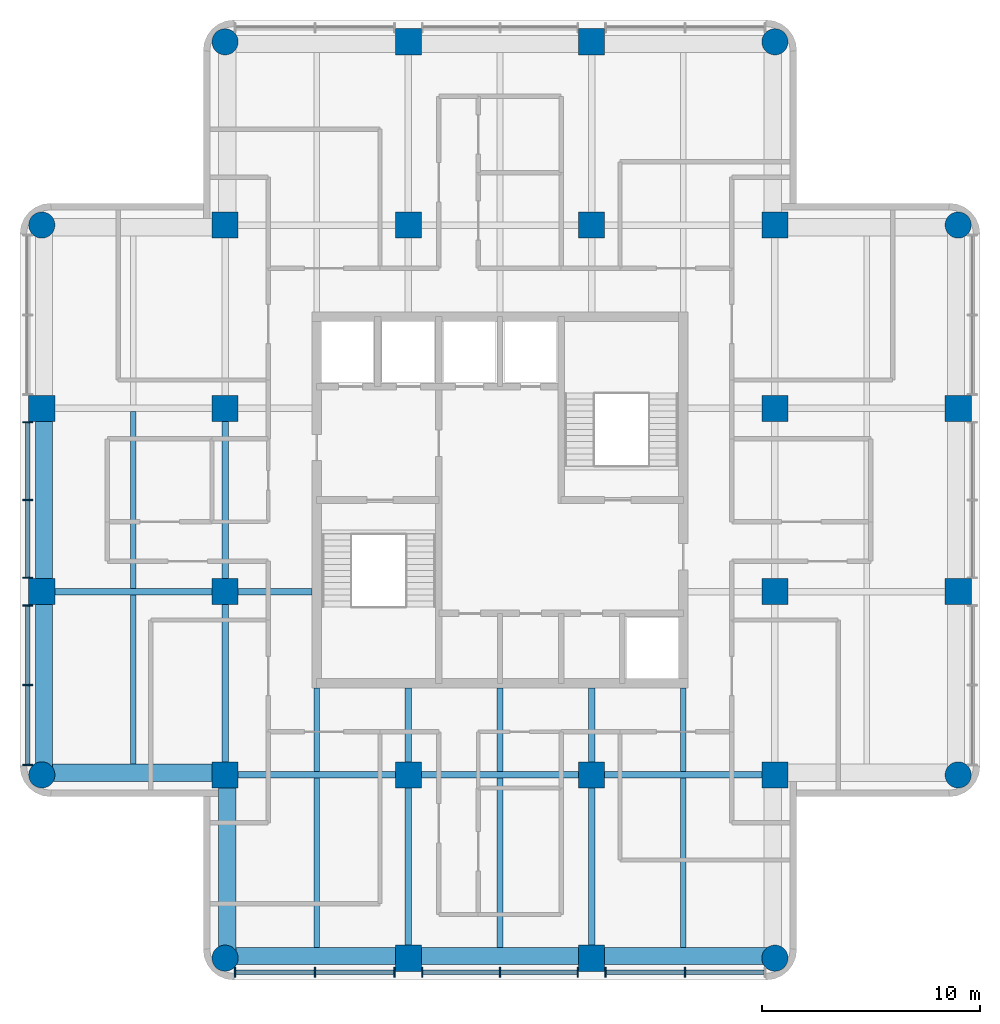
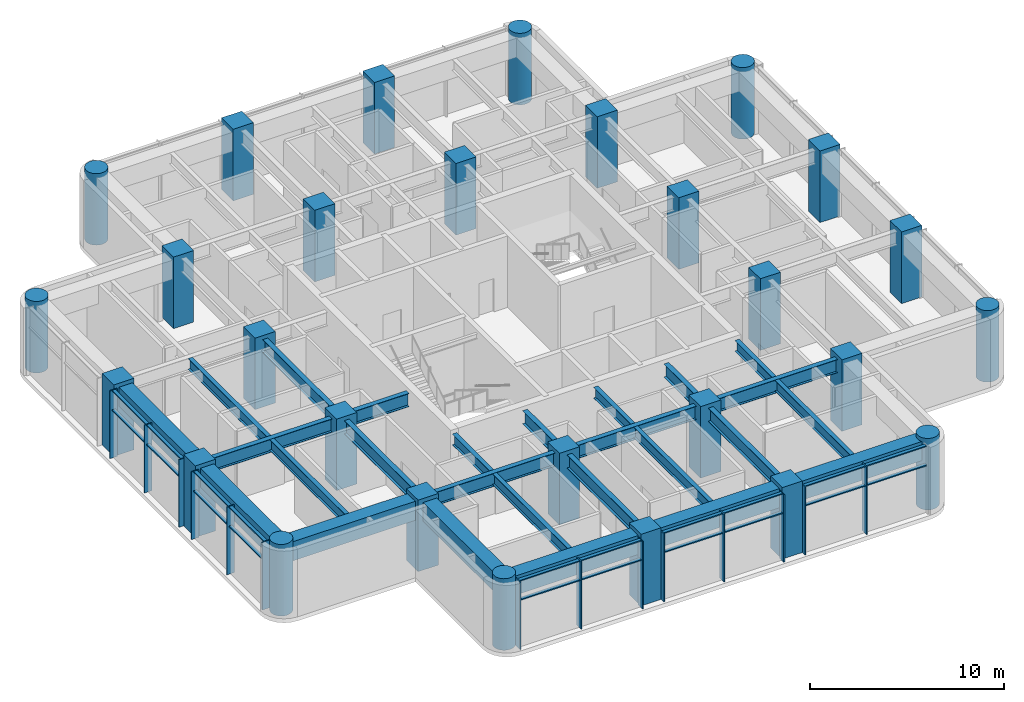
# One storey, part 1 of 8: 34 members, 28 columns, 26 beams, 2 elements without a shape of their own.
"""IFC4 building model written with IfcOpenShell, lengths in metres."""

from ifc_helpers import new_model, si_unit, direction, frame, origin, origin_2d, place, context, subcontext, project, spatial, rectangle, circle, i_section, extrude, material, material_profile, profile_set, type_object, element, aggregate, save


model = new_model("IFC4")

# Units and contexts
model_context = context("Model", 3, precision=1e-05, world=origin(), true_north=direction((0.0, 1.0)))
body_context = subcontext(model_context, "Body", "Model", "MODEL_VIEW")
ifc_project = project(units=[si_unit("LENGTHUNIT", "METRE"), si_unit("AREAUNIT", "SQUARE_METRE"), si_unit("VOLUMEUNIT", "CUBIC_METRE"), si_unit("PLANEANGLEUNIT", "RADIAN"), si_unit("MASSUNIT", "GRAM", prefix="KILO")], contexts=[model_context])

# Site, building, storey
site_placement = place(None, origin())
site = spatial("IfcSite", under=ifc_project, at=site_placement, CompositionType="ELEMENT")
building_placement = place(site_placement, origin())
building = spatial("IfcBuilding", under=site, at=building_placement, Name="Torre Alcanfor", CompositionType="ELEMENT")
storey_placement = place(building_placement, frame((0.0, 0.0, 300.89990234375)))
storey = spatial("IfcBuildingStorey", under=building, at=storey_placement, Name="L79", CompositionType="ELEMENT", Elevation=300.89990234375)

# Columns
ifc_material_1 = material(Name="Concrete f'c 70 MPa", Category="concrete")
ifc_material_profile_1 = material_profile(ifc_material_1, rectangle(XDim=1.199951171875, YDim=1.199951171875, at=origin_2d()), Name="1200x1200")
ifc_profile_set_1 = profile_set([ifc_material_profile_1], Name="Concrete f'c 70 MPa")
column_type_1 = type_object("IfcColumnType", Name="RC column 1200x1200 f'c70", PredefinedType="COLUMN", material=ifc_profile_set_1)
for number, where, z_axis, x_axis, name in (
    (1, (8.39990234375, 25.199951171875, 0.0), (0.0, 0.0, 1.0), (1.0, 0.0, 0.0), "Column 2/F L79"),
    (2, (8.39990234375, 33.60009765625, 0.0), (0.0, 0.0, 1.0), (1.0, 0.0, 0.0), "Column 2/G L79"),
    (3, (16.800048828125, 16.800048828125, 0.0), (0.0, 0.0, 1.0), (1.0, 0.0, 0.0), "Column 3/E L79"),
    (4, (16.800048828125, 25.199951171875, 0.0), (0.0, 0.0, 1.0), (1.0, 0.0, 0.0), "Column 3/F L79"),
    (5, (16.800048828125, 33.60009765625, 0.0), (0.0, 0.0, 1.0), (1.0, 0.0, 0.0), "Column 3/G L79"),
    (6, (16.800048828125, 42.0, 0.0), (0.0, 0.0, 1.0), (1.0, 0.0, 0.0), "Column 3/H L79"),
    (7, (25.199951171875, 8.39990234375, 0.0), (0.0, 0.0, 1.0), (1.0, 0.0, 0.0), "Column 4/D L79"),
    (8, (25.199951171875, 16.800048828125, 0.0), (0.0, 0.0, 1.0), (1.0, 0.0, 0.0), "Column 4/E L79"),
    (9, (25.199951171875, 42.0, 0.0), (0.0, 0.0, 1.0), (1.0, 0.0, 0.0), "Column 4/H L79"),
    (10, (25.199951171875, 50.39990234375, 0.0), (0.0, 0.0, 1.0), (1.0, 0.0, 0.0), "Column 4/J L79"),
    (11, (33.60009765625, 8.39990234375, 0.0), (0.0, 0.0, 1.0), (1.0, 0.0, 0.0), "Column 5/D L79"),
    (12, (33.60009765625, 16.800048828125, 0.0), (0.0, 0.0, 1.0), (1.0, 0.0, 0.0), "Column 5/E L79"),
    (13, (33.60009765625, 42.0, 0.0), (0.0, 0.0, 1.0), (1.0, 0.0, 0.0), "Column 5/H L79"),
    (14, (33.60009765625, 50.39990234375, 0.0), (0.0, 0.0, 1.0), (1.0, 0.0, 0.0), "Column 5/J L79"),
    (15, (42.0, 16.800048828125, 0.0), (0.0, 0.0, 1.0), (1.0, 0.0, 0.0), "Column 6/E L79"),
    (16, (42.0, 25.199951171875, 0.0), (0.0, 0.0, 1.0), (1.0, 0.0, 0.0), "Column 6/F L79"),
    (17, (42.0, 33.60009765625, 0.0), (0.0, 0.0, 1.0), (1.0, 0.0, 0.0), "Column 6/G L79"),
    (18, (42.0, 42.0, 0.0), (0.0, 0.0, 1.0), (1.0, 0.0, 0.0), "Column 6/H L79"),
    (19, (50.39990234375, 25.199951171875, 0.0), (0.0, 0.0, 1.0), (1.0, 0.0, 0.0), "Column 7/F L79"),
    (20, (50.39990234375, 33.60009765625, 0.0), (0.0, 0.0, 1.0), (1.0, 0.0, 0.0), "Column 7/G L79"),
):
    element("IfcColumn", number, at=place(storey_placement, frame(where, z_axis=z_axis, x_axis=x_axis)), inside=storey, type_object=column_type_1, Name=name, PredefinedType="COLUMN", context=body_context, shape_type="SweptSolid", body=[
        extrude(rectangle(XDim=1.199951171875, YDim=1.199951171875, at=origin_2d()), origin(), (0.0, 0.0, 1.0), 4.5),
    ])
ifc_material_2 = material(Name="Concrete f'c 70 MPa", Category="concrete")
ifc_material_profile_2 = material_profile(ifc_material_2, circle(Radius=0.60009765625, at=origin_2d()), Name="D1200")
ifc_profile_set_2 = profile_set([ifc_material_profile_2], Name="Concrete f'c 70 MPa")
column_type_2 = type_object("IfcColumnType", Name="RC column D1200 f'c70", PredefinedType="COLUMN", material=ifc_profile_set_2)
for number, where, z_axis, x_axis, name in (
    (21, (8.39990234375, 16.800048828125, 0.0), (0.0, 0.0, 1.0), (1.0, 0.0, 0.0), "Column 2/E L79"),
    (22, (8.39990234375, 42.0, 0.0), (0.0, 0.0, 1.0), (1.0, 0.0, 0.0), "Column 2/H L79"),
    (23, (16.800048828125, 8.39990234375, 0.0), (0.0, 0.0, 1.0), (1.0, 0.0, 0.0), "Column 3/D L79"),
    (24, (16.800048828125, 50.39990234375, 0.0), (0.0, 0.0, 1.0), (1.0, 0.0, 0.0), "Column 3/J L79"),
    (25, (42.0, 8.39990234375, 0.0), (0.0, 0.0, 1.0), (1.0, 0.0, 0.0), "Column 6/D L79"),
    (26, (42.0, 50.39990234375, 0.0), (0.0, 0.0, 1.0), (1.0, 0.0, 0.0), "Column 6/J L79"),
    (27, (50.39990234375, 16.800048828125, 0.0), (0.0, 0.0, 1.0), (1.0, 0.0, 0.0), "Column 7/E L79"),
    (28, (50.39990234375, 42.0, 0.0), (0.0, 0.0, 1.0), (1.0, 0.0, 0.0), "Column 7/H L79"),
):
    element("IfcColumn", number, at=place(storey_placement, frame(where, z_axis=z_axis, x_axis=x_axis)), inside=storey, type_object=column_type_2, Name=name, PredefinedType="COLUMN", context=body_context, shape_type="SweptSolid", body=[
        extrude(circle(Radius=0.60009765625, at=origin_2d()), origin(), (0.0, 0.0, 1.0), 4.5),
    ])

# Curtain wall, members
ifc_material_3 = material(Name="Aluminium and glass", Category="aluminium")
curtain_wall_type = type_object("IfcCurtainWallType", Name="CW-E crown screen", PredefinedType="NOTDEFINED", material=ifc_material_3)
curtain_wall_1_placement = place(storey_placement, origin())
curtain_wall_1 = element("IfcCurtainWall", 29, at=curtain_wall_1_placement, inside=storey, type_object=curtain_wall_type, Name="Curtain wall CW-E L79 2", PredefinedType="NOTDEFINED")
ifc_material_4 = material(Name="Bronze anodised aluminium", Category="aluminium")
ifc_material_profile_3 = material_profile(ifc_material_4, rectangle(XDim=0.449951171875, YDim=0.06494140625, at=origin_2d()), Name="CW-E mullion 65x450")
ifc_profile_set_3 = profile_set([ifc_material_profile_3], Name="Bronze anodised aluminium")
member_type_1 = type_object("IfcMemberType", Name="CW-E mullion with vertical FIN 65x450", PredefinedType="MULLION", material=ifc_profile_set_3)
member_1_placement = place(storey_placement, frame((7.75, 32.96240234375, 0.0), z_axis=(0.0, 0.0, 1.0), x_axis=(1.0, 0.0, 0.0)))
member_1 = element("IfcMember", 30, at=member_1_placement, type_object=member_type_1, Name="CW-E mullion 2.1", PredefinedType="MULLION", context=body_context, shape_type="SweptSolid", body=[
    extrude(rectangle(XDim=0.449951171875, YDim=0.06494140625, at=origin_2d()), origin(), (0.0, 0.0, 1.0), 4.25),
])
member_2_placement = place(storey_placement, frame((7.75, 29.39990234375, 0.0), z_axis=(0.0, 0.0, 1.0), x_axis=(1.0, 0.0, 0.0)))
member_2 = element("IfcMember", 31, at=member_2_placement, type_object=member_type_1, Name="CW-E mullion 2.2", PredefinedType="MULLION", context=body_context, shape_type="SweptSolid", body=[
    extrude(rectangle(XDim=0.449951171875, YDim=0.06494140625, at=origin_2d()), origin(), (0.0, 0.0, 1.0), 4.25),
])
member_3_placement = place(storey_placement, frame((7.75, 25.83740234375, 0.0), z_axis=(0.0, 0.0, 1.0), x_axis=(1.0, 0.0, 0.0)))
member_3 = element("IfcMember", 32, at=member_3_placement, type_object=member_type_1, Name="CW-E mullion 2.3", PredefinedType="MULLION", context=body_context, shape_type="SweptSolid", body=[
    extrude(rectangle(XDim=0.449951171875, YDim=0.06494140625, at=origin_2d()), origin(), (0.0, 0.0, 1.0), 4.25),
])
member_4_placement = place(storey_placement, frame((7.75, 24.5625, 0.0), z_axis=(0.0, 0.0, 1.0), x_axis=(1.0, 0.0, 0.0)))
member_4 = element("IfcMember", 33, at=member_4_placement, type_object=member_type_1, Name="CW-E mullion 3.1", PredefinedType="MULLION", context=body_context, shape_type="SweptSolid", body=[
    extrude(rectangle(XDim=0.449951171875, YDim=0.06494140625, at=origin_2d()), origin(), (0.0, 0.0, 1.0), 4.25),
])
member_5_placement = place(storey_placement, frame((7.75, 20.912841796875, 0.0), z_axis=(0.0, 0.0, 1.0), x_axis=(1.0, 0.0, 0.0)))
member_5 = element("IfcMember", 34, at=member_5_placement, type_object=member_type_1, Name="CW-E mullion 3.2", PredefinedType="MULLION", context=body_context, shape_type="SweptSolid", body=[
    extrude(rectangle(XDim=0.449951171875, YDim=0.06494140625, at=origin_2d()), origin(), (0.0, 0.0, 1.0), 4.25),
])
member_6_placement = place(storey_placement, frame((7.75, 17.262939453125, 0.0), z_axis=(0.0, 0.0, 1.0), x_axis=(1.0, 0.0, 0.0)))
member_6 = element("IfcMember", 35, at=member_6_placement, type_object=member_type_1, Name="CW-E mullion 3.3", PredefinedType="MULLION", context=body_context, shape_type="SweptSolid", body=[
    extrude(rectangle(XDim=0.449951171875, YDim=0.06494140625, at=origin_2d()), origin(), (0.0, 0.0, 1.0), 4.25),
])

curtain_wall_2_placement = place(storey_placement, origin())
curtain_wall_2 = element("IfcCurtainWall", 36, at=curtain_wall_2_placement, inside=storey, type_object=curtain_wall_type, Name="Curtain wall CW-E L79 5", PredefinedType="NOTDEFINED")
member_7_placement = place(storey_placement, frame((17.262939453125, 7.75, 0.0), z_axis=(0.0, 0.0, 1.0), x_axis=(0.0, 1.0, 0.0)))
member_7 = element("IfcMember", 37, at=member_7_placement, type_object=member_type_1, Name="CW-E mullion 1.1", PredefinedType="MULLION", context=body_context, shape_type="SweptSolid", body=[
    extrude(rectangle(XDim=0.449951171875, YDim=0.06494140625, at=origin_2d()), origin(), (0.0, 0.0, 1.0), 4.25),
])
member_8_placement = place(storey_placement, frame((20.912841796875, 7.75, 0.0), z_axis=(0.0, 0.0, 1.0), x_axis=(0.0, 1.0, 0.0)))
member_8 = element("IfcMember", 38, at=member_8_placement, type_object=member_type_1, Name="CW-E mullion 1.2", PredefinedType="MULLION", context=body_context, shape_type="SweptSolid", body=[
    extrude(rectangle(XDim=0.449951171875, YDim=0.06494140625, at=origin_2d()), origin(), (0.0, 0.0, 1.0), 4.25),
])
member_9_placement = place(storey_placement, frame((24.5625, 7.75, 0.0), z_axis=(0.0, 0.0, 1.0), x_axis=(0.0, 1.0, 0.0)))
member_9 = element("IfcMember", 39, at=member_9_placement, type_object=member_type_1, Name="CW-E mullion 1.3", PredefinedType="MULLION", context=body_context, shape_type="SweptSolid", body=[
    extrude(rectangle(XDim=0.449951171875, YDim=0.06494140625, at=origin_2d()), origin(), (0.0, 0.0, 1.0), 4.25),
])
member_10_placement = place(storey_placement, frame((25.83740234375, 7.75, 0.0), z_axis=(0.0, 0.0, 1.0), x_axis=(0.0, 1.0, 0.0)))
member_10 = element("IfcMember", 40, at=member_10_placement, type_object=member_type_1, Name="CW-E mullion 2.1", PredefinedType="MULLION", context=body_context, shape_type="SweptSolid", body=[
    extrude(rectangle(XDim=0.449951171875, YDim=0.06494140625, at=origin_2d()), origin(), (0.0, 0.0, 1.0), 4.25),
])
member_11_placement = place(storey_placement, frame((29.39990234375, 7.75, 0.0), z_axis=(0.0, 0.0, 1.0), x_axis=(0.0, 1.0, 0.0)))
member_11 = element("IfcMember", 41, at=member_11_placement, type_object=member_type_1, Name="CW-E mullion 2.2", PredefinedType="MULLION", context=body_context, shape_type="SweptSolid", body=[
    extrude(rectangle(XDim=0.449951171875, YDim=0.06494140625, at=origin_2d()), origin(), (0.0, 0.0, 1.0), 4.25),
])
member_12_placement = place(storey_placement, frame((32.96240234375, 7.75, 0.0), z_axis=(0.0, 0.0, 1.0), x_axis=(0.0, 1.0, 0.0)))
member_12 = element("IfcMember", 42, at=member_12_placement, type_object=member_type_1, Name="CW-E mullion 2.3", PredefinedType="MULLION", context=body_context, shape_type="SweptSolid", body=[
    extrude(rectangle(XDim=0.449951171875, YDim=0.06494140625, at=origin_2d()), origin(), (0.0, 0.0, 1.0), 4.25),
])
member_13_placement = place(storey_placement, frame((34.237548828125, 7.75, 0.0), z_axis=(0.0, 0.0, 1.0), x_axis=(0.0, 1.0, 0.0)))
member_13 = element("IfcMember", 43, at=member_13_placement, type_object=member_type_1, Name="CW-E mullion 3.1", PredefinedType="MULLION", context=body_context, shape_type="SweptSolid", body=[
    extrude(rectangle(XDim=0.449951171875, YDim=0.06494140625, at=origin_2d()), origin(), (0.0, 0.0, 1.0), 4.25),
])
member_14_placement = place(storey_placement, frame((37.88720703125, 7.75, 0.0), z_axis=(0.0, 0.0, 1.0), x_axis=(0.0, 1.0, 0.0)))
member_14 = element("IfcMember", 44, at=member_14_placement, type_object=member_type_1, Name="CW-E mullion 3.2", PredefinedType="MULLION", context=body_context, shape_type="SweptSolid", body=[
    extrude(rectangle(XDim=0.449951171875, YDim=0.06494140625, at=origin_2d()), origin(), (0.0, 0.0, 1.0), 4.25),
])

# Member
ifc_material_5 = material(Name="Extruded aluminium", Category="aluminium")
ifc_material_profile_4 = material_profile(ifc_material_5, rectangle(XDim=0.199951171875, YDim=0.06494140625, at=origin_2d()), Name="CW-E transom 200x65")
ifc_profile_set_4 = profile_set([ifc_material_profile_4], Name="Extruded aluminium")
member_type_2 = type_object("IfcMemberType", Name="CW-E transom 65x200", PredefinedType="USERDEFINED", material=ifc_profile_set_4)
member_15_placement = place(storey_placement, frame((7.75, 32.929931640625, 3.0), z_axis=(0.0, -1.0, 0.0), x_axis=(1.0, 0.0, 0.0)))
member_15 = element("IfcMember", 45, at=member_15_placement, type_object=member_type_2, Name="CW-E transom 2.1.2", ObjectType="TRANSOM", PredefinedType="USERDEFINED", context=body_context, shape_type="SweptSolid", body=[
    extrude(rectangle(XDim=0.199951171875, YDim=0.06494140625, at=origin_2d()), origin(), (0.0, 0.0, 1.0), 3.497314453125),
])

member_16_placement = place(storey_placement, frame((7.75, 32.929931640625, 4.217529296875), z_axis=(0.0, -1.0, 0.0), x_axis=(1.0, 0.0, 0.0)))
member_16 = element("IfcMember", 46, at=member_16_placement, type_object=member_type_2, Name="CW-E transom 2.1.3", ObjectType="TRANSOM", PredefinedType="USERDEFINED", context=body_context, shape_type="SweptSolid", body=[
    extrude(rectangle(XDim=0.199951171875, YDim=0.06494140625, at=origin_2d()), origin(), (0.0, 0.0, 1.0), 3.497314453125),
])

member_17_placement = place(storey_placement, frame((7.75, 29.367431640625, 3.0), z_axis=(0.0, -1.0, 0.0), x_axis=(1.0, 0.0, 0.0)))
member_17 = element("IfcMember", 47, at=member_17_placement, type_object=member_type_2, Name="CW-E transom 2.2.2", ObjectType="TRANSOM", PredefinedType="USERDEFINED", context=body_context, shape_type="SweptSolid", body=[
    extrude(rectangle(XDim=0.199951171875, YDim=0.06494140625, at=origin_2d()), origin(), (0.0, 0.0, 1.0), 3.497314453125),
])

member_18_placement = place(storey_placement, frame((7.75, 29.367431640625, 4.217529296875), z_axis=(0.0, -1.0, 0.0), x_axis=(1.0, 0.0, 0.0)))
member_18 = element("IfcMember", 48, at=member_18_placement, type_object=member_type_2, Name="CW-E transom 2.2.3", ObjectType="TRANSOM", PredefinedType="USERDEFINED", context=body_context, shape_type="SweptSolid", body=[
    extrude(rectangle(XDim=0.199951171875, YDim=0.06494140625, at=origin_2d()), origin(), (0.0, 0.0, 1.0), 3.497314453125),
])

member_19_placement = place(storey_placement, frame((7.75, 24.530029296875, 3.0), z_axis=(0.0, -1.0, 0.0), x_axis=(1.0, 0.0, 0.0)))
member_19 = element("IfcMember", 49, at=member_19_placement, type_object=member_type_2, Name="CW-E transom 3.1.2", ObjectType="TRANSOM", PredefinedType="USERDEFINED", context=body_context, shape_type="SweptSolid", body=[
    extrude(rectangle(XDim=0.199951171875, YDim=0.06494140625, at=origin_2d()), origin(), (0.0, 0.0, 1.0), 3.584716796875),
])

member_20_placement = place(storey_placement, frame((7.75, 24.530029296875, 4.217529296875), z_axis=(0.0, -1.0, 0.0), x_axis=(1.0, 0.0, 0.0)))
member_20 = element("IfcMember", 50, at=member_20_placement, type_object=member_type_2, Name="CW-E transom 3.1.3", ObjectType="TRANSOM", PredefinedType="USERDEFINED", context=body_context, shape_type="SweptSolid", body=[
    extrude(rectangle(XDim=0.199951171875, YDim=0.06494140625, at=origin_2d()), origin(), (0.0, 0.0, 1.0), 3.584716796875),
])

member_21_placement = place(storey_placement, frame((7.75, 20.88037109375, 3.0), z_axis=(0.0, -1.0, 0.0), x_axis=(1.0, 0.0, 0.0)))
member_21 = element("IfcMember", 51, at=member_21_placement, type_object=member_type_2, Name="CW-E transom 3.2.2", ObjectType="TRANSOM", PredefinedType="USERDEFINED", context=body_context, shape_type="SweptSolid", body=[
    extrude(rectangle(XDim=0.199951171875, YDim=0.06494140625, at=origin_2d()), origin(), (0.0, 0.0, 1.0), 3.5849609375),
])

member_22_placement = place(storey_placement, frame((7.75, 20.88037109375, 4.217529296875), z_axis=(0.0, -1.0, 0.0), x_axis=(1.0, 0.0, 0.0)))
member_22 = element("IfcMember", 52, at=member_22_placement, type_object=member_type_2, Name="CW-E transom 3.2.3", ObjectType="TRANSOM", PredefinedType="USERDEFINED", context=body_context, shape_type="SweptSolid", body=[
    extrude(rectangle(XDim=0.199951171875, YDim=0.06494140625, at=origin_2d()), origin(), (0.0, 0.0, 1.0), 3.5849609375),
])

aggregate(curtain_wall_1, [member_1, member_2, member_3, member_15, member_16, member_17, member_18, member_4, member_5, member_6, member_19, member_20, member_21, member_22])

member_23_placement = place(storey_placement, frame((17.29541015625, 7.75, 3.0), z_axis=(1.0, 0.0, 0.0), x_axis=(0.0, 1.0, 0.0)))
member_23 = element("IfcMember", 53, at=member_23_placement, type_object=member_type_2, Name="CW-E transom 1.1.2", ObjectType="TRANSOM", PredefinedType="USERDEFINED", context=body_context, shape_type="SweptSolid", body=[
    extrude(rectangle(XDim=0.199951171875, YDim=0.06494140625, at=origin_2d()), origin(), (0.0, 0.0, 1.0), 3.5849609375),
])

member_24_placement = place(storey_placement, frame((17.29541015625, 7.75, 4.217529296875), z_axis=(1.0, 0.0, 0.0), x_axis=(0.0, 1.0, 0.0)))
member_24 = element("IfcMember", 54, at=member_24_placement, type_object=member_type_2, Name="CW-E transom 1.1.3", ObjectType="TRANSOM", PredefinedType="USERDEFINED", context=body_context, shape_type="SweptSolid", body=[
    extrude(rectangle(XDim=0.199951171875, YDim=0.06494140625, at=origin_2d()), origin(), (0.0, 0.0, 1.0), 3.5849609375),
])

member_25_placement = place(storey_placement, frame((20.9453125, 7.75, 3.0), z_axis=(1.0, 0.0, 0.0), x_axis=(0.0, 1.0, 0.0)))
member_25 = element("IfcMember", 55, at=member_25_placement, type_object=member_type_2, Name="CW-E transom 1.2.2", ObjectType="TRANSOM", PredefinedType="USERDEFINED", context=body_context, shape_type="SweptSolid", body=[
    extrude(rectangle(XDim=0.199951171875, YDim=0.06494140625, at=origin_2d()), origin(), (0.0, 0.0, 1.0), 3.584716796875),
])

member_26_placement = place(storey_placement, frame((20.9453125, 7.75, 4.217529296875), z_axis=(1.0, 0.0, 0.0), x_axis=(0.0, 1.0, 0.0)))
member_26 = element("IfcMember", 56, at=member_26_placement, type_object=member_type_2, Name="CW-E transom 1.2.3", ObjectType="TRANSOM", PredefinedType="USERDEFINED", context=body_context, shape_type="SweptSolid", body=[
    extrude(rectangle(XDim=0.199951171875, YDim=0.06494140625, at=origin_2d()), origin(), (0.0, 0.0, 1.0), 3.584716796875),
])

member_27_placement = place(storey_placement, frame((25.8701171875, 7.75, 3.0), z_axis=(1.0, 0.0, 0.0), x_axis=(0.0, 1.0, 0.0)))
member_27 = element("IfcMember", 57, at=member_27_placement, type_object=member_type_2, Name="CW-E transom 2.1.2", ObjectType="TRANSOM", PredefinedType="USERDEFINED", context=body_context, shape_type="SweptSolid", body=[
    extrude(rectangle(XDim=0.199951171875, YDim=0.06494140625, at=origin_2d()), origin(), (0.0, 0.0, 1.0), 3.497314453125),
])

member_28_placement = place(storey_placement, frame((25.8701171875, 7.75, 4.217529296875), z_axis=(1.0, 0.0, 0.0), x_axis=(0.0, 1.0, 0.0)))
member_28 = element("IfcMember", 58, at=member_28_placement, type_object=member_type_2, Name="CW-E transom 2.1.3", ObjectType="TRANSOM", PredefinedType="USERDEFINED", context=body_context, shape_type="SweptSolid", body=[
    extrude(rectangle(XDim=0.199951171875, YDim=0.06494140625, at=origin_2d()), origin(), (0.0, 0.0, 1.0), 3.497314453125),
])

member_29_placement = place(storey_placement, frame((29.4326171875, 7.75, 3.0), z_axis=(1.0, 0.0, 0.0), x_axis=(0.0, 1.0, 0.0)))
member_29 = element("IfcMember", 59, at=member_29_placement, type_object=member_type_2, Name="CW-E transom 2.2.2", ObjectType="TRANSOM", PredefinedType="USERDEFINED", context=body_context, shape_type="SweptSolid", body=[
    extrude(rectangle(XDim=0.199951171875, YDim=0.06494140625, at=origin_2d()), origin(), (0.0, 0.0, 1.0), 3.497314453125),
])

member_30_placement = place(storey_placement, frame((29.4326171875, 7.75, 4.217529296875), z_axis=(1.0, 0.0, 0.0), x_axis=(0.0, 1.0, 0.0)))
member_30 = element("IfcMember", 60, at=member_30_placement, type_object=member_type_2, Name="CW-E transom 2.2.3", ObjectType="TRANSOM", PredefinedType="USERDEFINED", context=body_context, shape_type="SweptSolid", body=[
    extrude(rectangle(XDim=0.199951171875, YDim=0.06494140625, at=origin_2d()), origin(), (0.0, 0.0, 1.0), 3.497314453125),
])

member_31_placement = place(storey_placement, frame((34.27001953125, 7.75, 3.0), z_axis=(1.0, 0.0, 0.0), x_axis=(0.0, 1.0, 0.0)))
member_31 = element("IfcMember", 61, at=member_31_placement, type_object=member_type_2, Name="CW-E transom 3.1.2", ObjectType="TRANSOM", PredefinedType="USERDEFINED", context=body_context, shape_type="SweptSolid", body=[
    extrude(rectangle(XDim=0.199951171875, YDim=0.06494140625, at=origin_2d()), origin(), (0.0, 0.0, 1.0), 3.584716796875),
])

member_32_placement = place(storey_placement, frame((34.27001953125, 7.75, 4.217529296875), z_axis=(1.0, 0.0, 0.0), x_axis=(0.0, 1.0, 0.0)))
member_32 = element("IfcMember", 62, at=member_32_placement, type_object=member_type_2, Name="CW-E transom 3.1.3", ObjectType="TRANSOM", PredefinedType="USERDEFINED", context=body_context, shape_type="SweptSolid", body=[
    extrude(rectangle(XDim=0.199951171875, YDim=0.06494140625, at=origin_2d()), origin(), (0.0, 0.0, 1.0), 3.584716796875),
])

member_33_placement = place(storey_placement, frame((37.919677734375, 7.75, 3.0), z_axis=(1.0, 0.0, 0.0), x_axis=(0.0, 1.0, 0.0)))
member_33 = element("IfcMember", 63, at=member_33_placement, type_object=member_type_2, Name="CW-E transom 3.2.2", ObjectType="TRANSOM", PredefinedType="USERDEFINED", context=body_context, shape_type="SweptSolid", body=[
    extrude(rectangle(XDim=0.199951171875, YDim=0.06494140625, at=origin_2d()), origin(), (0.0, 0.0, 1.0), 3.584716796875),
])

member_34_placement = place(storey_placement, frame((37.919677734375, 7.75, 4.217529296875), z_axis=(1.0, 0.0, 0.0), x_axis=(0.0, 1.0, 0.0)))
member_34 = element("IfcMember", 64, at=member_34_placement, type_object=member_type_2, Name="CW-E transom 3.2.3", ObjectType="TRANSOM", PredefinedType="USERDEFINED", context=body_context, shape_type="SweptSolid", body=[
    extrude(rectangle(XDim=0.199951171875, YDim=0.06494140625, at=origin_2d()), origin(), (0.0, 0.0, 1.0), 3.584716796875),
])

aggregate(curtain_wall_2, [member_7, member_8, member_9, member_23, member_24, member_25, member_26, member_10, member_11, member_12, member_27, member_28, member_29, member_30, member_13, member_14, member_31, member_32, member_33, member_34])

# Beams
ifc_material_6 = material(Name="Steel ASTM A992 Grade 50", Category="steel")
ifc_material_profile_5 = material_profile(ifc_material_6, i_section(OverallWidth=0.2919921875, OverallDepth=0.8408203125, WebThickness=0.0146484375, FlangeThickness=0.021728515625, at=origin_2d()), Name="W33x130")
ifc_profile_set_5 = profile_set([ifc_material_profile_5], Name="Steel ASTM A992 Grade 50")
beam_type_1 = type_object("IfcBeamType", Name="Girder W33x130", PredefinedType="BEAM", material=ifc_profile_set_5)
beam_1_placement = place(storey_placement, frame((16.800048828125, 16.800048828125, 3.829833984375), z_axis=(1.0, 0.0, 0.0), x_axis=(0.0, 1.0, 0.0)))
element("IfcBeam", 65, at=beam_1_placement, inside=storey, type_object=beam_type_1, Name="Beam 3E-4E under L80", PredefinedType="BEAM", context=body_context, shape_type="SweptSolid", body=[
    extrude(i_section(OverallWidth=0.2919921875, OverallDepth=0.8408203125, WebThickness=0.0146484375, FlangeThickness=0.021728515625, at=origin_2d()), origin(), (0.0, 0.0, 1.0), 8.39990234375),
])
beam_2_placement = place(storey_placement, frame((25.199951171875, 16.800048828125, 3.829833984375), z_axis=(1.0, 0.0, 0.0), x_axis=(0.0, 1.0, 0.0)))
element("IfcBeam", 66, at=beam_2_placement, inside=storey, type_object=beam_type_1, Name="Beam 4E-5E under L80", PredefinedType="BEAM", context=body_context, shape_type="SweptSolid", body=[
    extrude(i_section(OverallWidth=0.2919921875, OverallDepth=0.8408203125, WebThickness=0.0146484375, FlangeThickness=0.021728515625, at=origin_2d()), origin(), (0.0, 0.0, 1.0), 8.400146484375),
])
beam_3_placement = place(storey_placement, frame((33.60009765625, 16.800048828125, 3.829833984375), z_axis=(1.0, 0.0, 0.0), x_axis=(0.0, 1.0, 0.0)))
element("IfcBeam", 67, at=beam_3_placement, inside=storey, type_object=beam_type_1, Name="Beam 5E-6E under L80", PredefinedType="BEAM", context=body_context, shape_type="SweptSolid", body=[
    extrude(i_section(OverallWidth=0.2919921875, OverallDepth=0.8408203125, WebThickness=0.0146484375, FlangeThickness=0.021728515625, at=origin_2d()), origin(), (0.0, 0.0, 1.0), 8.39990234375),
])
beam_4_placement = place(storey_placement, frame((8.39990234375, 25.199951171875, 3.829833984375), z_axis=(1.0, 0.0, 0.0), x_axis=(0.0, 1.0, 0.0)))
element("IfcBeam", 68, at=beam_4_placement, inside=storey, type_object=beam_type_1, Name="Beam 2F-3F under L80", PredefinedType="BEAM", context=body_context, shape_type="SweptSolid", body=[
    extrude(i_section(OverallWidth=0.2919921875, OverallDepth=0.8408203125, WebThickness=0.0146484375, FlangeThickness=0.021728515625, at=origin_2d()), origin(), (0.0, 0.0, 1.0), 8.400146484375),
])
beam_5_placement = place(storey_placement, frame((16.800048828125, 16.800048828125, 3.829833984375), z_axis=(0.0, 1.0, 0.0), x_axis=(-1.0, 0.0, 0.0)))
element("IfcBeam", 69, at=beam_5_placement, inside=storey, type_object=beam_type_1, Name="Beam 3E-3F under L80", PredefinedType="BEAM", context=body_context, shape_type="SweptSolid", body=[
    extrude(i_section(OverallWidth=0.2919921875, OverallDepth=0.8408203125, WebThickness=0.0146484375, FlangeThickness=0.021728515625, at=origin_2d()), origin(), (0.0, 0.0, 1.0), 8.39990234375),
])
for number, where, z_axis, x_axis, name in (
    (70, (16.800048828125, 25.199951171875, 3.829833984375), (0.0, 1.0, 0.0), (-1.0, 0.0, 0.0), "Beam 3F-3G under L80"),
    (71, (25.199951171875, 8.39990234375, 3.829833984375), (0.0, 1.0, 0.0), (-1.0, 0.0, 0.0), "Beam 4D-4E under L80"),
    (72, (33.60009765625, 8.39990234375, 3.829833984375), (0.0, 1.0, 0.0), (-1.0, 0.0, 0.0), "Beam 5D-5E under L80"),
):
    element("IfcBeam", number, at=place(storey_placement, frame(where, z_axis=z_axis, x_axis=x_axis)), inside=storey, type_object=beam_type_1, Name=name, PredefinedType="BEAM", context=body_context, shape_type="SweptSolid", body=[
        extrude(i_section(OverallWidth=0.2919921875, OverallDepth=0.8408203125, WebThickness=0.0146484375, FlangeThickness=0.021728515625, at=origin_2d()), origin(), (0.0, 0.0, 1.0), 8.400146484375),
    ])
ifc_material_7 = material(Name="Steel ASTM A992 Grade 50", Category="steel")
ifc_material_profile_6 = material_profile(ifc_material_7, i_section(OverallWidth=0.2919921875, OverallDepth=0.8408203125, WebThickness=0.0146484375, FlangeThickness=0.021728515625, at=origin_2d()), Name="W33x130")
ifc_profile_set_6 = profile_set([ifc_material_profile_6], Name="Steel ASTM A992 Grade 50")
beam_type_2 = type_object("IfcBeamType", Name="Girder, part bay W33x130", PredefinedType="BEAM", material=ifc_profile_set_6)
for number, where, z_axis, x_axis, name in (
    (73, (25.199951171875, 16.800048828125, 3.829833984375), (0.0, 1.0, 0.0), (-1.0, 0.0, 0.0), "Beam 4E-420_775 under L80"),
    (74, (33.60009765625, 16.800048828125, 3.829833984375), (0.0, 1.0, 0.0), (-1.0, 0.0, 0.0), "Beam 5E-520_775 under L80"),
    (75, (16.800048828125, 25.199951171875, 3.829833984375), (1.0, 0.0, 0.0), (0.0, 1.0, 0.0), "Beam 3F-20_775F under L80"),
):
    element("IfcBeam", number, at=place(storey_placement, frame(where, z_axis=z_axis, x_axis=x_axis)), inside=storey, type_object=beam_type_2, Name=name, PredefinedType="BEAM", context=body_context, shape_type="SweptSolid", body=[
        extrude(i_section(OverallWidth=0.2919921875, OverallDepth=0.8408203125, WebThickness=0.0146484375, FlangeThickness=0.021728515625, at=origin_2d()), origin(), (0.0, 0.0, 1.0), 3.974853515625),
    ])
ifc_material_8 = material(Name="Concrete f'c 70 MPa", Category="concrete")
ifc_material_profile_7 = material_profile(ifc_material_8, rectangle(XDim=0.800048828125, YDim=1.199951171875, at=origin_2d()), Name="800x1200")
ifc_profile_set_7 = profile_set([ifc_material_profile_7], Name="Concrete f'c 70 MPa")
beam_type_3 = type_object("IfcBeamType", Name="RC perimeter beam 800x1200", PredefinedType="BEAM", material=ifc_profile_set_7)
beam_6_placement = place(storey_placement, frame((16.800048828125, 8.5, 3.650146484375), z_axis=(1.0, 0.0, 0.0), x_axis=(0.0, 1.0, 0.0)))
element("IfcBeam", 76, at=beam_6_placement, inside=storey, type_object=beam_type_3, Name="Beam 3D-4D under L80", PredefinedType="BEAM", context=body_context, shape_type="SweptSolid", body=[
    extrude(rectangle(XDim=0.800048828125, YDim=1.199951171875, at=origin_2d()), origin(), (0.0, 0.0, 1.0), 8.25390625),
])
beam_7_placement = place(storey_placement, frame((25.345947265625, 8.5, 3.650146484375), z_axis=(1.0, 0.0, 0.0), x_axis=(0.0, 1.0, 0.0)))
element("IfcBeam", 77, at=beam_7_placement, inside=storey, type_object=beam_type_3, Name="Beam 4D-5D under L80", PredefinedType="BEAM", context=body_context, shape_type="SweptSolid", body=[
    extrude(rectangle(XDim=0.800048828125, YDim=1.199951171875, at=origin_2d()), origin(), (0.0, 0.0, 1.0), 8.108154296875),
])
beam_8_placement = place(storey_placement, frame((33.74609375, 8.5, 3.650146484375), z_axis=(1.0, 0.0, 0.0), x_axis=(0.0, 1.0, 0.0)))
element("IfcBeam", 78, at=beam_8_placement, inside=storey, type_object=beam_type_3, Name="Beam 5D-6D under L80", PredefinedType="BEAM", context=body_context, shape_type="SweptSolid", body=[
    extrude(rectangle(XDim=0.800048828125, YDim=1.199951171875, at=origin_2d()), origin(), (0.0, 0.0, 1.0), 8.25390625),
])
beam_9_placement = place(storey_placement, frame((8.39990234375, 16.89990234375, 3.650146484375), z_axis=(1.0, 0.0, 0.0), x_axis=(0.0, 1.0, 0.0)))
element("IfcBeam", 79, at=beam_9_placement, inside=storey, type_object=beam_type_3, Name="Beam 2E-3E under L80", PredefinedType="BEAM", context=body_context, shape_type="SweptSolid", body=[
    extrude(rectangle(XDim=0.800048828125, YDim=1.199951171875, at=origin_2d()), origin(), (0.0, 0.0, 1.0), 8.254150390625),
])
beam_10_placement = place(storey_placement, frame((8.5, 16.800048828125, 3.650146484375), z_axis=(0.0, 1.0, 0.0), x_axis=(-1.0, 0.0, 0.0)))
element("IfcBeam", 80, at=beam_10_placement, inside=storey, type_object=beam_type_3, Name="Beam 2E-2F under L80", PredefinedType="BEAM", context=body_context, shape_type="SweptSolid", body=[
    extrude(rectangle(XDim=0.800048828125, YDim=1.199951171875, at=origin_2d()), origin(), (0.0, 0.0, 1.0), 8.25390625),
])
beam_11_placement = place(storey_placement, frame((8.5, 25.345947265625, 3.650146484375), z_axis=(0.0, 1.0, 0.0), x_axis=(-1.0, 0.0, 0.0)))
element("IfcBeam", 81, at=beam_11_placement, inside=storey, type_object=beam_type_3, Name="Beam 2F-2G under L80", PredefinedType="BEAM", context=body_context, shape_type="SweptSolid", body=[
    extrude(rectangle(XDim=0.800048828125, YDim=1.199951171875, at=origin_2d()), origin(), (0.0, 0.0, 1.0), 8.108154296875),
])
beam_12_placement = place(storey_placement, frame((16.89990234375, 8.39990234375, 3.650146484375), z_axis=(0.0, 1.0, 0.0), x_axis=(-1.0, 0.0, 0.0)))
element("IfcBeam", 82, at=beam_12_placement, inside=storey, type_object=beam_type_3, Name="Beam 3D-3E under L80", PredefinedType="BEAM", context=body_context, shape_type="SweptSolid", body=[
    extrude(rectangle(XDim=0.800048828125, YDim=1.199951171875, at=origin_2d()), origin(), (0.0, 0.0, 1.0), 8.254150390625),
])
ifc_material_9 = material(Name="Steel ASTM A992 Grade 50", Category="steel")
ifc_material_profile_8 = material_profile(ifc_material_9, i_section(OverallWidth=0.25390625, OverallDepth=0.683349609375, WebThickness=0.012451171875, FlangeThickness=0.01904296875, at=origin_2d()), Name="W27x94")
ifc_profile_set_8 = profile_set([ifc_material_profile_8], Name="Steel ASTM A992 Grade 50")
beam_type_4 = type_object("IfcBeamType", Name="Secondary beam W27x94", PredefinedType="BEAM", material=ifc_profile_set_8)
beam_13_placement = place(storey_placement, frame((12.60009765625, 17.300048828125, 3.908447265625), z_axis=(0.0, 1.0, 0.0), x_axis=(-1.0, 0.0, 0.0)))
element("IfcBeam", 83, at=beam_13_placement, inside=storey, type_object=beam_type_4, Name="Beam 12_6E-12_6F under L80", PredefinedType="BEAM", context=body_context, shape_type="SweptSolid", body=[
    extrude(i_section(OverallWidth=0.25390625, OverallDepth=0.683349609375, WebThickness=0.012451171875, FlangeThickness=0.01904296875, at=origin_2d()), origin(), (0.0, 0.0, 1.0), 7.75390625),
])
beam_14_placement = place(storey_placement, frame((12.60009765625, 25.345947265625, 3.908447265625), z_axis=(0.0, 1.0, 0.0), x_axis=(-1.0, 0.0, 0.0)))
element("IfcBeam", 84, at=beam_14_placement, inside=storey, type_object=beam_type_4, Name="Beam 12_6F-12_6G under L80", PredefinedType="BEAM", context=body_context, shape_type="SweptSolid", body=[
    extrude(i_section(OverallWidth=0.25390625, OverallDepth=0.683349609375, WebThickness=0.012451171875, FlangeThickness=0.01904296875, at=origin_2d()), origin(), (0.0, 0.0, 1.0), 8.108154296875),
])
for number, where, z_axis, x_axis, name in (
    (85, (21.0, 8.89990234375, 3.908447265625), (0.0, 1.0, 0.0), (-1.0, 0.0, 0.0), "Beam 21D-21E under L80"),
    (86, (29.39990234375, 8.89990234375, 3.908447265625), (0.0, 1.0, 0.0), (-1.0, 0.0, 0.0), "Beam 29_4D-29_4E under L80"),
    (87, (37.800048828125, 8.89990234375, 3.908447265625), (0.0, 1.0, 0.0), (-1.0, 0.0, 0.0), "Beam 37_8D-37_8E under L80"),
):
    element("IfcBeam", number, at=place(storey_placement, frame(where, z_axis=z_axis, x_axis=x_axis)), inside=storey, type_object=beam_type_4, Name=name, PredefinedType="BEAM", context=body_context, shape_type="SweptSolid", body=[
        extrude(i_section(OverallWidth=0.25390625, OverallDepth=0.683349609375, WebThickness=0.012451171875, FlangeThickness=0.01904296875, at=origin_2d()), origin(), (0.0, 0.0, 1.0), 7.754150390625),
    ])
ifc_material_10 = material(Name="Steel ASTM A992 Grade 50", Category="steel")
ifc_material_profile_9 = material_profile(ifc_material_10, i_section(OverallWidth=0.25390625, OverallDepth=0.683349609375, WebThickness=0.012451171875, FlangeThickness=0.01904296875, at=origin_2d()), Name="W27x94")
ifc_profile_set_9 = profile_set([ifc_material_profile_9], Name="Steel ASTM A992 Grade 50")
beam_type_5 = type_object("IfcBeamType", Name="Secondary beam, part bay W27x94", PredefinedType="BEAM", material=ifc_profile_set_9)
for number, where, z_axis, x_axis, name in (
    (88, (21.0, 16.946044921875, 3.908447265625), (0.0, 1.0, 0.0), (-1.0, 0.0, 0.0), "Beam 21E-2120_775 under L80"),
    (89, (29.39990234375, 16.946044921875, 3.908447265625), (0.0, 1.0, 0.0), (-1.0, 0.0, 0.0), "Beam 29_4E-29_420_775 under L80"),
    (90, (37.800048828125, 16.946044921875, 3.908447265625), (0.0, 1.0, 0.0), (-1.0, 0.0, 0.0), "Beam 37_8E-37_820_775 under L80"),
):
    element("IfcBeam", number, at=place(storey_placement, frame(where, z_axis=z_axis, x_axis=x_axis)), inside=storey, type_object=beam_type_5, Name=name, PredefinedType="BEAM", context=body_context, shape_type="SweptSolid", body=[
        extrude(i_section(OverallWidth=0.25390625, OverallDepth=0.683349609375, WebThickness=0.012451171875, FlangeThickness=0.01904296875, at=origin_2d()), origin(), (0.0, 0.0, 1.0), 3.828857421875),
    ])

save(model, "model.ifc")
